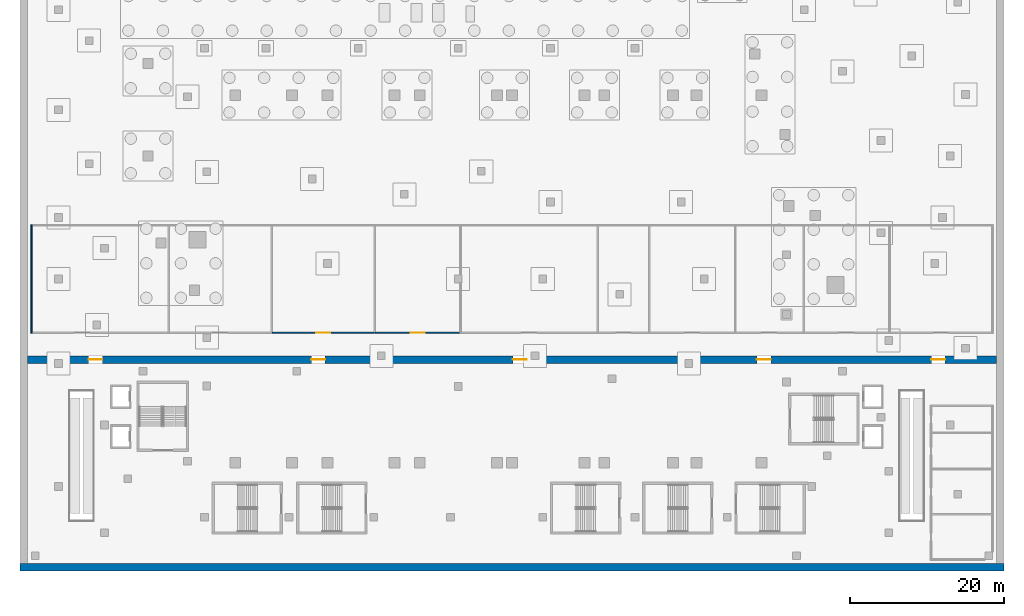
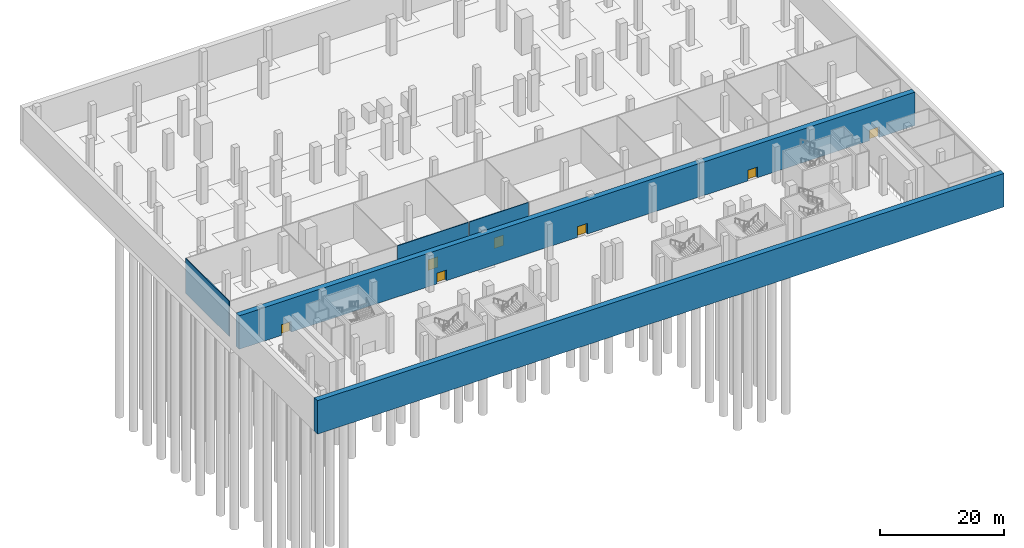
# One storey, part 5 of 15: 7 doors, 5 walls, 7 openings.
"""IFC4 building model written with IfcOpenShell, lengths in metres."""

from ifc_helpers import new_model, si_unit, direction, frame, frame_2d, origin, place, context, subcontext, project, spatial, rectangle, extrude, material, layer, layer_set, type_object, element, fill, save


model = new_model("IFC4")

# Units and contexts
model_context = context("Model", 3, precision=1e-05, world=origin(), true_north=direction((0.0, 1.0)))
body_context = subcontext(model_context, "Body", "Model", "MODEL_VIEW")
ifc_project = project(units=[si_unit("LENGTHUNIT", "METRE"), si_unit("AREAUNIT", "SQUARE_METRE"), si_unit("VOLUMEUNIT", "CUBIC_METRE"), si_unit("PLANEANGLEUNIT", "RADIAN"), si_unit("MASSUNIT", "GRAM", prefix="KILO")], contexts=[model_context])

# Site, building, storey
site_placement = place(None, origin())
site = spatial("IfcSite", under=ifc_project, at=site_placement, CompositionType="ELEMENT")
building_placement = place(site_placement, origin())
building = spatial("IfcBuilding", under=site, at=building_placement, Name="Wharfspan Tower", CompositionType="ELEMENT")
storey_placement = place(building_placement, frame((0.0, 0.0, -7.199951)))
storey = spatial("IfcBuildingStorey", under=building, at=storey_placement, Name="B1", CompositionType="ELEMENT", Elevation=-7.199951)

# Wall
ifc_material_1 = material(Name="Concrete C35/45", Category="concrete")
ifc_layer_1 = layer(ifc_material_1, 1.0)
ifc_layer_set_1 = layer_set([ifc_layer_1], Name="Concrete C35/45")
wall_type_1 = type_object("IfcWallType", Name="Diaphragm wall 1000", PredefinedType="SOLIDWALL", material=ifc_layer_set_1)
wall_1_placement = place(storey_placement, frame((-16.0, -35.5, 0.0), z_axis=(0.0, 0.0, 1.0), x_axis=(1.0, 0.0, 0.0)))
element("IfcWall", 1, at=wall_1_placement, inside=storey, type_object=wall_type_1, Name="Diaphragm wall", PredefinedType="SOLIDWALL", context=body_context, shape_type="SweptSolid", body=[
    extrude(rectangle(XDim=128.0, YDim=1.0, at=frame_2d((64.0, 0.0))), origin(), (0.0, 0.0, 1.0), 6.599854),
])

# Wall, openings, doors
wall_2_placement = place(storey_placement, frame((-15.0, -8.5, 0.0), z_axis=(0.0, 0.0, 1.0), x_axis=(1.0, 0.0, 0.0)))
wall_2 = element("IfcWall", 2, at=wall_2_placement, inside=storey, type_object=wall_type_1, Name="Wall between station concourse and back-of-house", PredefinedType="SOLIDWALL", context=body_context, shape_type="SweptSolid", body=[
    extrude(rectangle(XDim=126.0, YDim=1.0, at=frame_2d((63.0, 0.0))), origin(), (0.0, 0.0, 1.0), 6.599854),
])
opening_1_placement = place(wall_2_placement, frame((7.919922, 0.0, 0.0)))
opening_1 = element("IfcOpeningElement", 3, at=opening_1_placement, cuts=wall_2, Name="Opening PD1.15", PredefinedType="OPENING", context=body_context, shape_type="SweptSolid", body=[
    extrude(rectangle(XDim=1.800049, YDim=2.100098, at=frame_2d((0.899902, 1.050049))), frame((0.0, 0.51001, 0.0), z_axis=(0.0, -1.0, 0.0), x_axis=(1.0, 0.0, 0.0)), (0.0, 0.0, 1.0), 1.02002),
])
opening_2_placement = place(wall_2_placement, frame((36.899902, 0.0, 0.0)))
opening_2 = element("IfcOpeningElement", 4, at=opening_2_placement, cuts=wall_2, Name="Opening PD1.16", PredefinedType="OPENING", context=body_context, shape_type="SweptSolid", body=[
    extrude(rectangle(XDim=1.800049, YDim=2.100098, at=frame_2d((0.899902, 1.050049))), frame((0.0, 0.51001, 0.0), z_axis=(0.0, -1.0, 0.0), x_axis=(1.0, 0.0, 0.0)), (0.0, 0.0, 1.0), 1.02002),
])
opening_3_placement = place(wall_2_placement, frame((63.120117, 0.0, 0.0)))
opening_3 = element("IfcOpeningElement", 5, at=opening_3_placement, cuts=wall_2, Name="Opening PD1.17", PredefinedType="OPENING", context=body_context, shape_type="SweptSolid", body=[
    extrude(rectangle(XDim=1.800049, YDim=2.100098, at=frame_2d((0.899902, 1.050049))), frame((0.0, 0.51001, 0.0), z_axis=(0.0, -1.0, 0.0), x_axis=(1.0, 0.0, 0.0)), (0.0, 0.0, 1.0), 1.02002),
])
opening_4_placement = place(wall_2_placement, frame((94.860107, 0.0, 0.0)))
opening_4 = element("IfcOpeningElement", 6, at=opening_4_placement, cuts=wall_2, Name="Opening PD1.18", PredefinedType="OPENING", context=body_context, shape_type="SweptSolid", body=[
    extrude(rectangle(XDim=1.800049, YDim=2.100098, at=frame_2d((0.899902, 1.050049))), frame((0.0, 0.51001, 0.0), z_axis=(0.0, -1.0, 0.0), x_axis=(1.0, 0.0, 0.0)), (0.0, 0.0, 1.0), 1.02002),
])
opening_5_placement = place(wall_2_placement, frame((117.540039, 0.0, 0.0)))
opening_5 = element("IfcOpeningElement", 7, at=opening_5_placement, cuts=wall_2, Name="Opening PD1.19", PredefinedType="OPENING", context=body_context, shape_type="SweptSolid", body=[
    extrude(rectangle(XDim=1.800049, YDim=2.100098, at=frame_2d((0.899902, 1.050049))), frame((0.0, 0.51001, 0.0), z_axis=(0.0, -1.0, 0.0), x_axis=(1.0, 0.0, 0.0)), (0.0, 0.0, 1.0), 1.02002),
])
ifc_material_2 = material(Name="Steel door leaf", Category="steel")
door_type = type_object("IfcDoorType", Name="Podium double door 1800x2100", OperationType="DOUBLE_DOOR_SINGLE_SWING", PredefinedType="DOOR", material=ifc_material_2)
door_1_placement = place(opening_1_placement, origin())
door_1 = element("IfcDoor", 8, at=door_1_placement, inside=storey, type_object=door_type, Name="id:B1:D1", OperationType="DOUBLE_DOOR_SINGLE_SWING", OverallHeight=2.100098, OverallWidth=1.800049, PredefinedType="DOOR", context=body_context, shape_type="SweptSolid", body=[
    extrude(rectangle(XDim=1.800049, YDim=2.100098, at=frame_2d((0.899902, 1.050049))), frame((0.0, 0.024902, 0.0), z_axis=(0.0, -1.0, 0.0), x_axis=(1.0, 0.0, 0.0)), (0.0, 0.0, 1.0), 0.050049),
])
fill(opening_1, door_1)
door_2_placement = place(opening_2_placement, origin())
door_2 = element("IfcDoor", 9, at=door_2_placement, inside=storey, type_object=door_type, Name="id:B1:D2", OperationType="DOUBLE_DOOR_SINGLE_SWING", OverallHeight=2.100098, OverallWidth=1.800049, PredefinedType="DOOR", context=body_context, shape_type="SweptSolid", body=[
    extrude(rectangle(XDim=1.800049, YDim=2.100098, at=frame_2d((0.899902, 1.050049))), frame((0.0, 0.024902, 0.0), z_axis=(0.0, -1.0, 0.0), x_axis=(1.0, 0.0, 0.0)), (0.0, 0.0, 1.0), 0.050049),
])
fill(opening_2, door_2)
door_3_placement = place(opening_3_placement, origin())
door_3 = element("IfcDoor", 10, at=door_3_placement, inside=storey, type_object=door_type, Name="id:B1:D3", OperationType="DOUBLE_DOOR_SINGLE_SWING", OverallHeight=2.100098, OverallWidth=1.800049, PredefinedType="DOOR", context=body_context, shape_type="SweptSolid", body=[
    extrude(rectangle(XDim=1.800049, YDim=2.100098, at=frame_2d((0.899902, 1.050049))), frame((0.0, 0.024902, 0.0), z_axis=(0.0, -1.0, 0.0), x_axis=(1.0, 0.0, 0.0)), (0.0, 0.0, 1.0), 0.050049),
])
fill(opening_3, door_3)
door_4_placement = place(opening_4_placement, origin())
door_4 = element("IfcDoor", 11, at=door_4_placement, inside=storey, type_object=door_type, Name="id:B1:D4", OperationType="DOUBLE_DOOR_SINGLE_SWING", OverallHeight=2.100098, OverallWidth=1.800049, PredefinedType="DOOR", context=body_context, shape_type="SweptSolid", body=[
    extrude(rectangle(XDim=1.800049, YDim=2.100098, at=frame_2d((0.899902, 1.050049))), frame((0.0, 0.024902, 0.0), z_axis=(0.0, -1.0, 0.0), x_axis=(1.0, 0.0, 0.0)), (0.0, 0.0, 1.0), 0.050049),
])
fill(opening_4, door_4)
door_5_placement = place(opening_5_placement, origin())
door_5 = element("IfcDoor", 12, at=door_5_placement, inside=storey, type_object=door_type, Name="id:B1:D5", OperationType="DOUBLE_DOOR_SINGLE_SWING", OverallHeight=2.100098, OverallWidth=1.800049, PredefinedType="DOOR", context=body_context, shape_type="SweptSolid", body=[
    extrude(rectangle(XDim=1.800049, YDim=2.100098, at=frame_2d((0.899902, 1.050049))), frame((0.0, 0.024902, 0.0), z_axis=(0.0, -1.0, 0.0), x_axis=(1.0, 0.0, 0.0)), (0.0, 0.0, 1.0), 0.050049),
])
fill(opening_5, door_5)

# Wall, opening, door
ifc_material_3 = material(Name="Calcium silicate masonry", Category="masonry")
ifc_layer_2 = layer(ifc_material_3, 0.149902)
ifc_layer_set_2 = layer_set([ifc_layer_2], Name="Calcium silicate masonry")
wall_type_2 = type_object("IfcWallType", Name="Podium room wall 150", PredefinedType="PARTITIONING", material=ifc_layer_set_2)
wall_3_placement = place(storey_placement, frame((16.824951, -5.0, 0.0), z_axis=(0.0, 0.0, 1.0), x_axis=(1.0, 0.0, 0.0)))
wall_3 = element("IfcWall", 13, at=wall_3_placement, inside=storey, type_object=wall_type_2, Name="iw:B1:3", PredefinedType="PARTITIONING", context=body_context, shape_type="SweptSolid", body=[
    extrude(rectangle(XDim=13.243164, YDim=0.149902, at=frame_2d((6.621582, 0.0))), origin(), (0.0, 0.0, 1.0), 6.899902),
])
opening_6_placement = place(wall_3_placement, frame((5.721436, 0.0, 0.0)))
opening_6 = element("IfcOpeningElement", 14, at=opening_6_placement, cuts=wall_3, Name="Opening PD1.3", PredefinedType="OPENING", context=body_context, shape_type="SweptSolid", body=[
    extrude(rectangle(XDim=1.800049, YDim=2.100098, at=frame_2d((0.899902, 1.050049))), frame((0.0, 0.084961, 0.0), z_axis=(0.0, -1.0, 0.0), x_axis=(1.0, 0.0, 0.0)), (0.0, 0.0, 1.0), 0.169922),
])
door_6_placement = place(opening_6_placement, origin())
door_6 = element("IfcDoor", 15, at=door_6_placement, inside=storey, type_object=door_type, Name="id:B1:3", OperationType="DOUBLE_DOOR_SINGLE_SWING", OverallHeight=2.100098, OverallWidth=1.800049, PredefinedType="DOOR", context=body_context, shape_type="SweptSolid", body=[
    extrude(rectangle(XDim=1.800049, YDim=2.100098, at=frame_2d((0.899902, 1.050049))), frame((0.0, 0.024902, 0.0), z_axis=(0.0, -1.0, 0.0), x_axis=(1.0, 0.0, 0.0)), (0.0, 0.0, 1.0), 0.050049),
])
fill(opening_6, door_6)

wall_4_placement = place(storey_placement, frame((30.218018, -5.0, 0.0), z_axis=(0.0, 0.0, 1.0), x_axis=(1.0, 0.0, 0.0)))
wall_4 = element("IfcWall", 16, at=wall_4_placement, inside=storey, type_object=wall_type_2, Name="iw:B1:4", PredefinedType="PARTITIONING", context=body_context, shape_type="SweptSolid", body=[
    extrude(rectangle(XDim=11.010986, YDim=0.149902, at=frame_2d((5.505371, 0.0))), origin(), (0.0, 0.0, 1.0), 6.899902),
])
opening_7_placement = place(wall_4_placement, frame((4.605225, 0.0, 0.0)))
opening_7 = element("IfcOpeningElement", 17, at=opening_7_placement, cuts=wall_4, Name="Opening PD1.4", PredefinedType="OPENING", context=body_context, shape_type="SweptSolid", body=[
    extrude(rectangle(XDim=1.800049, YDim=2.100098, at=frame_2d((0.899902, 1.050049))), frame((0.0, 0.084961, 0.0), z_axis=(0.0, -1.0, 0.0), x_axis=(1.0, 0.0, 0.0)), (0.0, 0.0, 1.0), 0.169922),
])
door_7_placement = place(opening_7_placement, origin())
door_7 = element("IfcDoor", 18, at=door_7_placement, inside=storey, type_object=door_type, Name="id:B1:4", OperationType="DOUBLE_DOOR_SINGLE_SWING", OverallHeight=2.100098, OverallWidth=1.800049, PredefinedType="DOOR", context=body_context, shape_type="SweptSolid", body=[
    extrude(rectangle(XDim=1.800049, YDim=2.100098, at=frame_2d((0.899902, 1.050049))), frame((0.0, 0.024902, 0.0), z_axis=(0.0, -1.0, 0.0), x_axis=(1.0, 0.0, 0.0)), (0.0, 0.0, 1.0), 0.050049),
])
fill(opening_7, door_7)

# Wall
wall_5_placement = place(storey_placement, frame((-14.5, -5.074951, 0.0), z_axis=(0.0, 0.0, 1.0), x_axis=(0.0, 1.0, 0.0)))
element("IfcWall", 19, at=wall_5_placement, inside=storey, type_object=wall_type_2, Name="iw:B1:22", PredefinedType="PARTITIONING", context=body_context, shape_type="SweptSolid", body=[
    extrude(rectangle(XDim=14.149902, YDim=0.149902, at=frame_2d((7.074951, 0.0))), origin(), (0.0, 0.0, 1.0), 6.899902),
])

save(model, "model.ifc")
